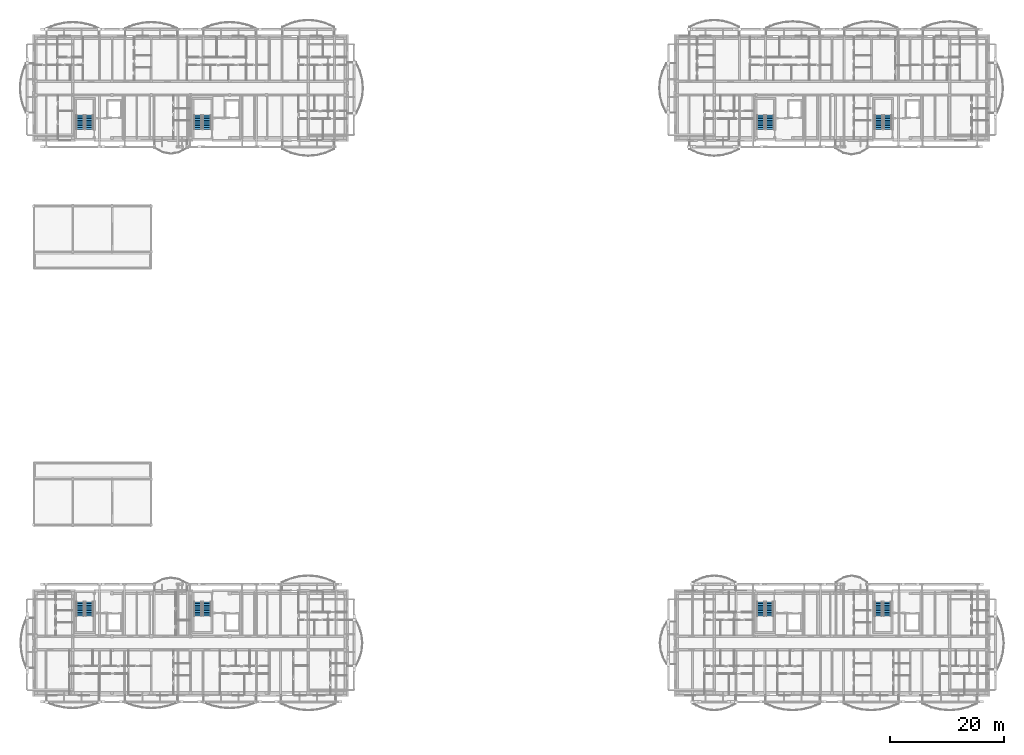
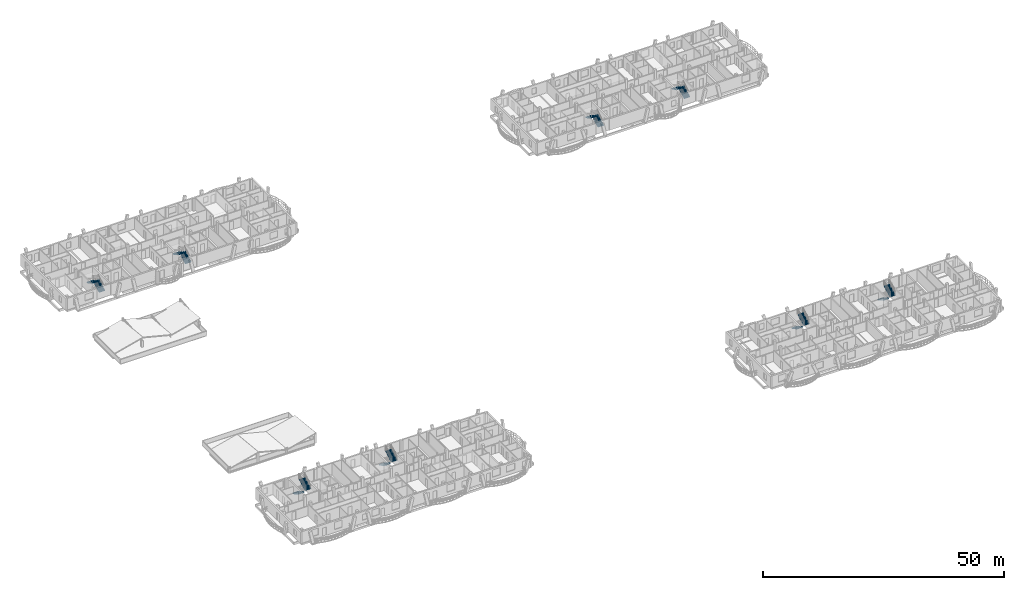
# One storey, part 38 of 50: 16 stair flights, 8 elements without a shape of their own.
"""IFC4 building model written with IfcOpenShell, lengths in metres."""

from ifc_helpers import new_model, si_unit, direction, frame, origin, place, context, subcontext, project, spatial, polyline, outline, extrude, material, type_object, element, aggregate, save


model = new_model("IFC4")

# Units and contexts
model_context = context("Model", 3, precision=1e-05, world=origin(), true_north=direction((0.0, 1.0)))
body_context = subcontext(model_context, "Body", "Model", "MODEL_VIEW")
ifc_project = project(units=[si_unit("LENGTHUNIT", "METRE"), si_unit("AREAUNIT", "SQUARE_METRE"), si_unit("VOLUMEUNIT", "CUBIC_METRE"), si_unit("PLANEANGLEUNIT", "RADIAN"), si_unit("MASSUNIT", "GRAM", prefix="KILO")], contexts=[model_context])

# Site, building, storey
site_placement = place(None, origin())
site = spatial("IfcSite", under=ifc_project, at=site_placement, CompositionType="ELEMENT")
building_placement = place(site_placement, origin())
building = spatial("IfcBuilding", under=site, at=building_placement, Name="Zavelmont Quarter", CompositionType="ELEMENT")
storey_placement = place(building_placement, frame((0.0, 0.0, 11.199951171875)))
storey = spatial("IfcBuildingStorey", under=building, at=storey_placement, Name="L03", CompositionType="ELEMENT", Elevation=11.199951171875)

# Stair, stair flights
ifc_material = material(Name="Concrete C35/45", Category="concrete")
stair_type_1 = type_object("IfcStairType", Name="STR-1350-1778", PredefinedType="HALF_TURN_STAIR", material=ifc_material)
stair_1_placement = place(storey_placement, origin())
stair_1 = element("IfcStair", 1, at=stair_1_placement, inside=storey, type_object=stair_type_1, Name="L03 protected stair ST07", PredefinedType="HALF_TURN_STAIR")
stair_flight_type_1 = type_object("IfcStairFlightType", Name="STF-1350-1778", PredefinedType="STRAIGHT", material=ifc_material)
stair_flight_1_placement = place(storey_placement, frame((127.875, 16.449951171875, 0.0), z_axis=(0.0, 0.0, 1.0), x_axis=(0.0, -1.0, 0.0)))
stair_flight_1 = element("IfcStairFlight", 2, at=stair_flight_1_placement, type_object=stair_flight_type_1, Name="ST07 flight 1", NumberOfRisers=9, NumberOfTreads=8, PredefinedType="STRAIGHT", RiserHeight=0.177777778, TreadLength=0.31, context=body_context, shape_type="SweptSolid", body=[
    extrude(outline(polyline([(0.0, 0.0), (0.0, 0.177734375), (0.31005859375, 0.177734375), (0.31005859375, 0.35546875), (0.6201171875, 0.35546875), (0.6201171875, 0.533447265625), (0.929931640625, 0.533447265625), (0.929931640625, 0.711181640625), (1.239990234375, 0.711181640625), (1.239990234375, 0.888916015625), (1.550048828125, 0.888916015625), (1.550048828125, 1.066650390625), (1.860107421875, 1.066650390625), (1.860107421875, 1.244384765625), (2.169921875, 1.244384765625), (2.169921875, 1.422119140625), (2.47998046875, 1.422119140625), (2.47998046875, 1.60009765625), (2.47998046875, 1.23779296875), (0.321533203125, 0.0), (0.0, 0.0)])), frame((0.0, 0.675048828125, 0.0), z_axis=(0.0, -1.0, 0.0), x_axis=(1.0, 0.0, 0.0)), (0.0, 0.0, 1.0), 1.35009765625),
])
stair_flight_2_placement = place(storey_placement, frame((129.425048828125, 13.969970703125, 1.60009765625), z_axis=(0.0, 0.0, 1.0), x_axis=(0.0, 1.0, 0.0)))
stair_flight_2 = element("IfcStairFlight", 3, at=stair_flight_2_placement, type_object=stair_flight_type_1, Name="ST07 flight 2", NumberOfRisers=9, NumberOfTreads=8, PredefinedType="STRAIGHT", RiserHeight=0.177777778, TreadLength=0.31, context=body_context, shape_type="SweptSolid", body=[
    extrude(outline(polyline([(0.0, 0.0), (0.0, 0.177734375), (0.31005859375, 0.177734375), (0.31005859375, 0.35546875), (0.6201171875, 0.35546875), (0.6201171875, 0.533447265625), (0.929931640625, 0.533447265625), (0.929931640625, 0.711181640625), (1.239990234375, 0.711181640625), (1.239990234375, 0.888916015625), (1.550048828125, 0.888916015625), (1.550048828125, 1.066650390625), (1.860107421875, 1.066650390625), (1.860107421875, 1.244384765625), (2.169921875, 1.244384765625), (2.169921875, 1.422119140625), (2.47998046875, 1.422119140625), (2.47998046875, 1.60009765625), (2.47998046875, 1.23779296875), (0.321533203125, 0.0), (0.0, 0.0)])), frame((0.0, 0.675048828125, 0.0), z_axis=(0.0, -1.0, 0.0), x_axis=(1.0, 0.0, 0.0)), (0.0, 0.0, 1.0), 1.35009765625),
])
aggregate(stair_1, [stair_flight_1, stair_flight_2])

stair_2_placement = place(storey_placement, origin())
stair_2 = element("IfcStair", 4, at=stair_2_placement, inside=storey, type_object=stair_type_1, Name="L03 protected stair ST08", PredefinedType="HALF_TURN_STAIR")
stair_flight_3_placement = place(storey_placement, frame((148.574951171875, 16.449951171875, 0.0), z_axis=(0.0, 0.0, 1.0), x_axis=(0.0, -1.0, 0.0)))
stair_flight_3 = element("IfcStairFlight", 5, at=stair_flight_3_placement, type_object=stair_flight_type_1, Name="ST08 flight 1", NumberOfRisers=9, NumberOfTreads=8, PredefinedType="STRAIGHT", RiserHeight=0.177777778, TreadLength=0.31, context=body_context, shape_type="SweptSolid", body=[
    extrude(outline(polyline([(0.0, 0.0), (0.0, 0.177734375), (0.31005859375, 0.177734375), (0.31005859375, 0.35546875), (0.6201171875, 0.35546875), (0.6201171875, 0.533447265625), (0.929931640625, 0.533447265625), (0.929931640625, 0.711181640625), (1.239990234375, 0.711181640625), (1.239990234375, 0.888916015625), (1.550048828125, 0.888916015625), (1.550048828125, 1.066650390625), (1.860107421875, 1.066650390625), (1.860107421875, 1.244384765625), (2.169921875, 1.244384765625), (2.169921875, 1.422119140625), (2.47998046875, 1.422119140625), (2.47998046875, 1.60009765625), (2.47998046875, 1.23779296875), (0.321533203125, 0.0), (0.0, 0.0)])), frame((0.0, 0.675048828125, 0.0), z_axis=(0.0, -1.0, 0.0), x_axis=(1.0, 0.0, 0.0)), (0.0, 0.0, 1.0), 1.35009765625),
])
stair_flight_4_placement = place(storey_placement, frame((150.125, 13.969970703125, 1.60009765625), z_axis=(0.0, 0.0, 1.0), x_axis=(0.0, 1.0, 0.0)))
stair_flight_4 = element("IfcStairFlight", 6, at=stair_flight_4_placement, type_object=stair_flight_type_1, Name="ST08 flight 2", NumberOfRisers=9, NumberOfTreads=8, PredefinedType="STRAIGHT", RiserHeight=0.177777778, TreadLength=0.31, context=body_context, shape_type="SweptSolid", body=[
    extrude(outline(polyline([(0.0, 0.0), (0.0, 0.177734375), (0.31005859375, 0.177734375), (0.31005859375, 0.35546875), (0.6201171875, 0.35546875), (0.6201171875, 0.533447265625), (0.929931640625, 0.533447265625), (0.929931640625, 0.711181640625), (1.239990234375, 0.711181640625), (1.239990234375, 0.888916015625), (1.550048828125, 0.888916015625), (1.550048828125, 1.066650390625), (1.860107421875, 1.066650390625), (1.860107421875, 1.244384765625), (2.169921875, 1.244384765625), (2.169921875, 1.422119140625), (2.47998046875, 1.422119140625), (2.47998046875, 1.60009765625), (2.47998046875, 1.23779296875), (0.321533203125, 0.0), (0.0, 0.0)])), frame((0.0, 0.675048828125, 0.0), z_axis=(0.0, -1.0, 0.0), x_axis=(1.0, 0.0, 0.0)), (0.0, 0.0, 1.0), 1.35009765625),
])
aggregate(stair_2, [stair_flight_3, stair_flight_4])

stair_type_2 = type_object("IfcStairType", Name="STR-1400-1778", PredefinedType="HALF_TURN_STAIR", material=ifc_material)
stair_3_placement = place(storey_placement, origin())
stair_3 = element("IfcStair", 7, at=stair_3_placement, inside=storey, type_object=stair_type_2, Name="L03 protected stair ST01", PredefinedType="HALF_TURN_STAIR")
stair_flight_type_2 = type_object("IfcStairFlightType", Name="STF-1400-1778", PredefinedType="STRAIGHT", material=ifc_material)
stair_flight_5_placement = place(storey_placement, frame((8.199951171875, 16.449951171875, 0.0), z_axis=(0.0, 0.0, 1.0), x_axis=(0.0, -1.0, 0.0)))
stair_flight_5 = element("IfcStairFlight", 8, at=stair_flight_5_placement, type_object=stair_flight_type_2, Name="ST01 flight 1", NumberOfRisers=9, NumberOfTreads=8, PredefinedType="STRAIGHT", RiserHeight=0.177777778, TreadLength=0.31, context=body_context, shape_type="SweptSolid", body=[
    extrude(outline(polyline([(0.0, 0.0), (0.0, 0.177734375), (0.31005859375, 0.177734375), (0.31005859375, 0.35546875), (0.6201171875, 0.35546875), (0.6201171875, 0.533447265625), (0.929931640625, 0.533447265625), (0.929931640625, 0.711181640625), (1.239990234375, 0.711181640625), (1.239990234375, 0.888916015625), (1.550048828125, 0.888916015625), (1.550048828125, 1.066650390625), (1.860107421875, 1.066650390625), (1.860107421875, 1.244384765625), (2.169921875, 1.244384765625), (2.169921875, 1.422119140625), (2.47998046875, 1.422119140625), (2.47998046875, 1.60009765625), (2.47998046875, 1.23779296875), (0.321533203125, 0.0), (0.0, 0.0)])), frame((0.0, 0.699951171875, 0.0), z_axis=(0.0, -1.0, 0.0), x_axis=(1.0, 0.0, 0.0)), (0.0, 0.0, 1.0), 1.39990234375),
])
stair_flight_6_placement = place(storey_placement, frame((9.800048828125, 13.969970703125, 1.60009765625), z_axis=(0.0, 0.0, 1.0), x_axis=(0.0, 1.0, 0.0)))
stair_flight_6 = element("IfcStairFlight", 9, at=stair_flight_6_placement, type_object=stair_flight_type_2, Name="ST01 flight 2", NumberOfRisers=9, NumberOfTreads=8, PredefinedType="STRAIGHT", RiserHeight=0.177777778, TreadLength=0.31, context=body_context, shape_type="SweptSolid", body=[
    extrude(outline(polyline([(0.0, 0.0), (0.0, 0.177734375), (0.31005859375, 0.177734375), (0.31005859375, 0.35546875), (0.6201171875, 0.35546875), (0.6201171875, 0.533447265625), (0.929931640625, 0.533447265625), (0.929931640625, 0.711181640625), (1.239990234375, 0.711181640625), (1.239990234375, 0.888916015625), (1.550048828125, 0.888916015625), (1.550048828125, 1.066650390625), (1.860107421875, 1.066650390625), (1.860107421875, 1.244384765625), (2.169921875, 1.244384765625), (2.169921875, 1.422119140625), (2.47998046875, 1.422119140625), (2.47998046875, 1.60009765625), (2.47998046875, 1.23779296875), (0.321533203125, 0.0), (0.0, 0.0)])), frame((0.0, 0.699951171875, 0.0), z_axis=(0.0, -1.0, 0.0), x_axis=(1.0, 0.0, 0.0)), (0.0, 0.0, 1.0), 1.39990234375),
])
aggregate(stair_3, [stair_flight_5, stair_flight_6])

stair_4_placement = place(storey_placement, origin())
stair_4 = element("IfcStair", 10, at=stair_4_placement, inside=storey, type_object=stair_type_2, Name="L03 protected stair ST02", PredefinedType="HALF_TURN_STAIR")
stair_flight_7_placement = place(storey_placement, frame((28.89990234375, 16.449951171875, 0.0), z_axis=(0.0, 0.0, 1.0), x_axis=(0.0, -1.0, 0.0)))
stair_flight_7 = element("IfcStairFlight", 11, at=stair_flight_7_placement, type_object=stair_flight_type_2, Name="ST02 flight 1", NumberOfRisers=9, NumberOfTreads=8, PredefinedType="STRAIGHT", RiserHeight=0.177777778, TreadLength=0.31, context=body_context, shape_type="SweptSolid", body=[
    extrude(outline(polyline([(0.0, 0.0), (0.0, 0.177734375), (0.31005859375, 0.177734375), (0.31005859375, 0.35546875), (0.6201171875, 0.35546875), (0.6201171875, 0.533447265625), (0.929931640625, 0.533447265625), (0.929931640625, 0.711181640625), (1.239990234375, 0.711181640625), (1.239990234375, 0.888916015625), (1.550048828125, 0.888916015625), (1.550048828125, 1.066650390625), (1.860107421875, 1.066650390625), (1.860107421875, 1.244384765625), (2.169921875, 1.244384765625), (2.169921875, 1.422119140625), (2.47998046875, 1.422119140625), (2.47998046875, 1.60009765625), (2.47998046875, 1.23779296875), (0.321533203125, 0.0), (0.0, 0.0)])), frame((0.0, 0.699951171875, 0.0), z_axis=(0.0, -1.0, 0.0), x_axis=(1.0, 0.0, 0.0)), (0.0, 0.0, 1.0), 1.39990234375),
])
stair_flight_8_placement = place(storey_placement, frame((30.5, 13.969970703125, 1.60009765625), z_axis=(0.0, 0.0, 1.0), x_axis=(0.0, 1.0, 0.0)))
stair_flight_8 = element("IfcStairFlight", 12, at=stair_flight_8_placement, type_object=stair_flight_type_2, Name="ST02 flight 2", NumberOfRisers=9, NumberOfTreads=8, PredefinedType="STRAIGHT", RiserHeight=0.177777778, TreadLength=0.31, context=body_context, shape_type="SweptSolid", body=[
    extrude(outline(polyline([(0.0, 0.0), (0.0, 0.177734375), (0.31005859375, 0.177734375), (0.31005859375, 0.35546875), (0.6201171875, 0.35546875), (0.6201171875, 0.533447265625), (0.929931640625, 0.533447265625), (0.929931640625, 0.711181640625), (1.239990234375, 0.711181640625), (1.239990234375, 0.888916015625), (1.550048828125, 0.888916015625), (1.550048828125, 1.066650390625), (1.860107421875, 1.066650390625), (1.860107421875, 1.244384765625), (2.169921875, 1.244384765625), (2.169921875, 1.422119140625), (2.47998046875, 1.422119140625), (2.47998046875, 1.60009765625), (2.47998046875, 1.23779296875), (0.321533203125, 0.0), (0.0, 0.0)])), frame((0.0, 0.699951171875, 0.0), z_axis=(0.0, -1.0, 0.0), x_axis=(1.0, 0.0, 0.0)), (0.0, 0.0, 1.0), 1.39990234375),
])
aggregate(stair_4, [stair_flight_7, stair_flight_8])

stair_5_placement = place(storey_placement, origin())
stair_5 = element("IfcStair", 13, at=stair_5_placement, inside=storey, type_object=stair_type_2, Name="L03 protected stair ST03", PredefinedType="HALF_TURN_STAIR")
stair_flight_9_placement = place(storey_placement, frame((9.800048828125, 99.550048828125, 0.0), z_axis=(0.0, 0.0, 1.0), x_axis=(0.0, 1.0, 0.0)))
stair_flight_9 = element("IfcStairFlight", 14, at=stair_flight_9_placement, type_object=stair_flight_type_2, Name="ST03 flight 1", NumberOfRisers=9, NumberOfTreads=8, PredefinedType="STRAIGHT", RiserHeight=0.177777778, TreadLength=0.31, context=body_context, shape_type="SweptSolid", body=[
    extrude(outline(polyline([(0.0, 0.0), (0.0, 0.177734375), (0.31005859375, 0.177734375), (0.31005859375, 0.35546875), (0.6201171875, 0.35546875), (0.6201171875, 0.533447265625), (0.929931640625, 0.533447265625), (0.929931640625, 0.711181640625), (1.239990234375, 0.711181640625), (1.239990234375, 0.888916015625), (1.550048828125, 0.888916015625), (1.550048828125, 1.066650390625), (1.860107421875, 1.066650390625), (1.860107421875, 1.244384765625), (2.169921875, 1.244384765625), (2.169921875, 1.422119140625), (2.47998046875, 1.422119140625), (2.47998046875, 1.60009765625), (2.47998046875, 1.23779296875), (0.321533203125, 0.0), (0.0, 0.0)])), frame((0.0, 0.699951171875, 0.0), z_axis=(0.0, -1.0, 0.0), x_axis=(1.0, 0.0, 0.0)), (0.0, 0.0, 1.0), 1.39990234375),
])
stair_flight_10_placement = place(storey_placement, frame((8.199951171875, 102.030029296875, 1.60009765625), z_axis=(0.0, 0.0, 1.0), x_axis=(0.0, -1.0, 0.0)))
stair_flight_10 = element("IfcStairFlight", 15, at=stair_flight_10_placement, type_object=stair_flight_type_2, Name="ST03 flight 2", NumberOfRisers=9, NumberOfTreads=8, PredefinedType="STRAIGHT", RiserHeight=0.177777778, TreadLength=0.31, context=body_context, shape_type="SweptSolid", body=[
    extrude(outline(polyline([(0.0, 0.0), (0.0, 0.177734375), (0.31005859375, 0.177734375), (0.31005859375, 0.35546875), (0.6201171875, 0.35546875), (0.6201171875, 0.533447265625), (0.929931640625, 0.533447265625), (0.929931640625, 0.711181640625), (1.239990234375, 0.711181640625), (1.239990234375, 0.888916015625), (1.550048828125, 0.888916015625), (1.550048828125, 1.066650390625), (1.860107421875, 1.066650390625), (1.860107421875, 1.244384765625), (2.169921875, 1.244384765625), (2.169921875, 1.422119140625), (2.47998046875, 1.422119140625), (2.47998046875, 1.60009765625), (2.47998046875, 1.23779296875), (0.321533203125, 0.0), (0.0, 0.0)])), frame((0.0, 0.699951171875, 0.0), z_axis=(0.0, -1.0, 0.0), x_axis=(1.0, 0.0, 0.0)), (0.0, 0.0, 1.0), 1.39990234375),
])
aggregate(stair_5, [stair_flight_9, stair_flight_10])

stair_6_placement = place(storey_placement, origin())
stair_6 = element("IfcStair", 16, at=stair_6_placement, inside=storey, type_object=stair_type_2, Name="L03 protected stair ST04", PredefinedType="HALF_TURN_STAIR")
stair_flight_11_placement = place(storey_placement, frame((30.5, 99.550048828125, 0.0), z_axis=(0.0, 0.0, 1.0), x_axis=(0.0, 1.0, 0.0)))
stair_flight_11 = element("IfcStairFlight", 17, at=stair_flight_11_placement, type_object=stair_flight_type_2, Name="ST04 flight 1", NumberOfRisers=9, NumberOfTreads=8, PredefinedType="STRAIGHT", RiserHeight=0.177777778, TreadLength=0.31, context=body_context, shape_type="SweptSolid", body=[
    extrude(outline(polyline([(0.0, 0.0), (0.0, 0.177734375), (0.31005859375, 0.177734375), (0.31005859375, 0.35546875), (0.6201171875, 0.35546875), (0.6201171875, 0.533447265625), (0.929931640625, 0.533447265625), (0.929931640625, 0.711181640625), (1.239990234375, 0.711181640625), (1.239990234375, 0.888916015625), (1.550048828125, 0.888916015625), (1.550048828125, 1.066650390625), (1.860107421875, 1.066650390625), (1.860107421875, 1.244384765625), (2.169921875, 1.244384765625), (2.169921875, 1.422119140625), (2.47998046875, 1.422119140625), (2.47998046875, 1.60009765625), (2.47998046875, 1.23779296875), (0.321533203125, 0.0), (0.0, 0.0)])), frame((0.0, 0.699951171875, 0.0), z_axis=(0.0, -1.0, 0.0), x_axis=(1.0, 0.0, 0.0)), (0.0, 0.0, 1.0), 1.39990234375),
])
stair_flight_12_placement = place(storey_placement, frame((28.89990234375, 102.030029296875, 1.60009765625), z_axis=(0.0, 0.0, 1.0), x_axis=(0.0, -1.0, 0.0)))
stair_flight_12 = element("IfcStairFlight", 18, at=stair_flight_12_placement, type_object=stair_flight_type_2, Name="ST04 flight 2", NumberOfRisers=9, NumberOfTreads=8, PredefinedType="STRAIGHT", RiserHeight=0.177777778, TreadLength=0.31, context=body_context, shape_type="SweptSolid", body=[
    extrude(outline(polyline([(0.0, 0.0), (0.0, 0.177734375), (0.31005859375, 0.177734375), (0.31005859375, 0.35546875), (0.6201171875, 0.35546875), (0.6201171875, 0.533447265625), (0.929931640625, 0.533447265625), (0.929931640625, 0.711181640625), (1.239990234375, 0.711181640625), (1.239990234375, 0.888916015625), (1.550048828125, 0.888916015625), (1.550048828125, 1.066650390625), (1.860107421875, 1.066650390625), (1.860107421875, 1.244384765625), (2.169921875, 1.244384765625), (2.169921875, 1.422119140625), (2.47998046875, 1.422119140625), (2.47998046875, 1.60009765625), (2.47998046875, 1.23779296875), (0.321533203125, 0.0), (0.0, 0.0)])), frame((0.0, 0.699951171875, 0.0), z_axis=(0.0, -1.0, 0.0), x_axis=(1.0, 0.0, 0.0)), (0.0, 0.0, 1.0), 1.39990234375),
])
aggregate(stair_6, [stair_flight_11, stair_flight_12])

stair_7_placement = place(storey_placement, origin())
stair_7 = element("IfcStair", 19, at=stair_7_placement, inside=storey, type_object=stair_type_2, Name="L03 protected stair ST05", PredefinedType="HALF_TURN_STAIR")
stair_flight_13_placement = place(storey_placement, frame((129.5, 99.550048828125, 0.0), z_axis=(0.0, 0.0, 1.0), x_axis=(0.0, 1.0, 0.0)))
stair_flight_13 = element("IfcStairFlight", 20, at=stair_flight_13_placement, type_object=stair_flight_type_2, Name="ST05 flight 1", NumberOfRisers=9, NumberOfTreads=8, PredefinedType="STRAIGHT", RiserHeight=0.177777778, TreadLength=0.31, context=body_context, shape_type="SweptSolid", body=[
    extrude(outline(polyline([(0.0, 0.0), (0.0, 0.177734375), (0.31005859375, 0.177734375), (0.31005859375, 0.35546875), (0.6201171875, 0.35546875), (0.6201171875, 0.533447265625), (0.929931640625, 0.533447265625), (0.929931640625, 0.711181640625), (1.239990234375, 0.711181640625), (1.239990234375, 0.888916015625), (1.550048828125, 0.888916015625), (1.550048828125, 1.066650390625), (1.860107421875, 1.066650390625), (1.860107421875, 1.244384765625), (2.169921875, 1.244384765625), (2.169921875, 1.422119140625), (2.47998046875, 1.422119140625), (2.47998046875, 1.60009765625), (2.47998046875, 1.23779296875), (0.321533203125, 0.0), (0.0, 0.0)])), frame((0.0, 0.699951171875, 0.0), z_axis=(0.0, -1.0, 0.0), x_axis=(1.0, 0.0, 0.0)), (0.0, 0.0, 1.0), 1.39990234375),
])
stair_flight_14_placement = place(storey_placement, frame((127.89990234375, 102.030029296875, 1.60009765625), z_axis=(0.0, 0.0, 1.0), x_axis=(0.0, -1.0, 0.0)))
stair_flight_14 = element("IfcStairFlight", 21, at=stair_flight_14_placement, type_object=stair_flight_type_2, Name="ST05 flight 2", NumberOfRisers=9, NumberOfTreads=8, PredefinedType="STRAIGHT", RiserHeight=0.177777778, TreadLength=0.31, context=body_context, shape_type="SweptSolid", body=[
    extrude(outline(polyline([(0.0, 0.0), (0.0, 0.177734375), (0.31005859375, 0.177734375), (0.31005859375, 0.35546875), (0.6201171875, 0.35546875), (0.6201171875, 0.533447265625), (0.929931640625, 0.533447265625), (0.929931640625, 0.711181640625), (1.239990234375, 0.711181640625), (1.239990234375, 0.888916015625), (1.550048828125, 0.888916015625), (1.550048828125, 1.066650390625), (1.860107421875, 1.066650390625), (1.860107421875, 1.244384765625), (2.169921875, 1.244384765625), (2.169921875, 1.422119140625), (2.47998046875, 1.422119140625), (2.47998046875, 1.60009765625), (2.47998046875, 1.23779296875), (0.321533203125, 0.0), (0.0, 0.0)])), frame((0.0, 0.699951171875, 0.0), z_axis=(0.0, -1.0, 0.0), x_axis=(1.0, 0.0, 0.0)), (0.0, 0.0, 1.0), 1.39990234375),
])
aggregate(stair_7, [stair_flight_13, stair_flight_14])

stair_8_placement = place(storey_placement, origin())
stair_8 = element("IfcStair", 22, at=stair_8_placement, inside=storey, type_object=stair_type_2, Name="L03 protected stair ST06", PredefinedType="HALF_TURN_STAIR")
stair_flight_15_placement = place(storey_placement, frame((150.199951171875, 99.550048828125, 0.0), z_axis=(0.0, 0.0, 1.0), x_axis=(0.0, 1.0, 0.0)))
stair_flight_15 = element("IfcStairFlight", 23, at=stair_flight_15_placement, type_object=stair_flight_type_2, Name="ST06 flight 1", NumberOfRisers=9, NumberOfTreads=8, PredefinedType="STRAIGHT", RiserHeight=0.177777778, TreadLength=0.31, context=body_context, shape_type="SweptSolid", body=[
    extrude(outline(polyline([(0.0, 0.0), (0.0, 0.177734375), (0.31005859375, 0.177734375), (0.31005859375, 0.35546875), (0.6201171875, 0.35546875), (0.6201171875, 0.533447265625), (0.929931640625, 0.533447265625), (0.929931640625, 0.711181640625), (1.239990234375, 0.711181640625), (1.239990234375, 0.888916015625), (1.550048828125, 0.888916015625), (1.550048828125, 1.066650390625), (1.860107421875, 1.066650390625), (1.860107421875, 1.244384765625), (2.169921875, 1.244384765625), (2.169921875, 1.422119140625), (2.47998046875, 1.422119140625), (2.47998046875, 1.60009765625), (2.47998046875, 1.23779296875), (0.321533203125, 0.0), (0.0, 0.0)])), frame((0.0, 0.699951171875, 0.0), z_axis=(0.0, -1.0, 0.0), x_axis=(1.0, 0.0, 0.0)), (0.0, 0.0, 1.0), 1.39990234375),
])
stair_flight_16_placement = place(storey_placement, frame((148.60009765625, 102.030029296875, 1.60009765625), z_axis=(0.0, 0.0, 1.0), x_axis=(0.0, -1.0, 0.0)))
stair_flight_16 = element("IfcStairFlight", 24, at=stair_flight_16_placement, type_object=stair_flight_type_2, Name="ST06 flight 2", NumberOfRisers=9, NumberOfTreads=8, PredefinedType="STRAIGHT", RiserHeight=0.177777778, TreadLength=0.31, context=body_context, shape_type="SweptSolid", body=[
    extrude(outline(polyline([(0.0, 0.0), (0.0, 0.177734375), (0.31005859375, 0.177734375), (0.31005859375, 0.35546875), (0.6201171875, 0.35546875), (0.6201171875, 0.533447265625), (0.929931640625, 0.533447265625), (0.929931640625, 0.711181640625), (1.239990234375, 0.711181640625), (1.239990234375, 0.888916015625), (1.550048828125, 0.888916015625), (1.550048828125, 1.066650390625), (1.860107421875, 1.066650390625), (1.860107421875, 1.244384765625), (2.169921875, 1.244384765625), (2.169921875, 1.422119140625), (2.47998046875, 1.422119140625), (2.47998046875, 1.60009765625), (2.47998046875, 1.23779296875), (0.321533203125, 0.0), (0.0, 0.0)])), frame((0.0, 0.699951171875, 0.0), z_axis=(0.0, -1.0, 0.0), x_axis=(1.0, 0.0, 0.0)), (0.0, 0.0, 1.0), 1.39990234375),
])
aggregate(stair_8, [stair_flight_15, stair_flight_16])

save(model, "model.ifc")
